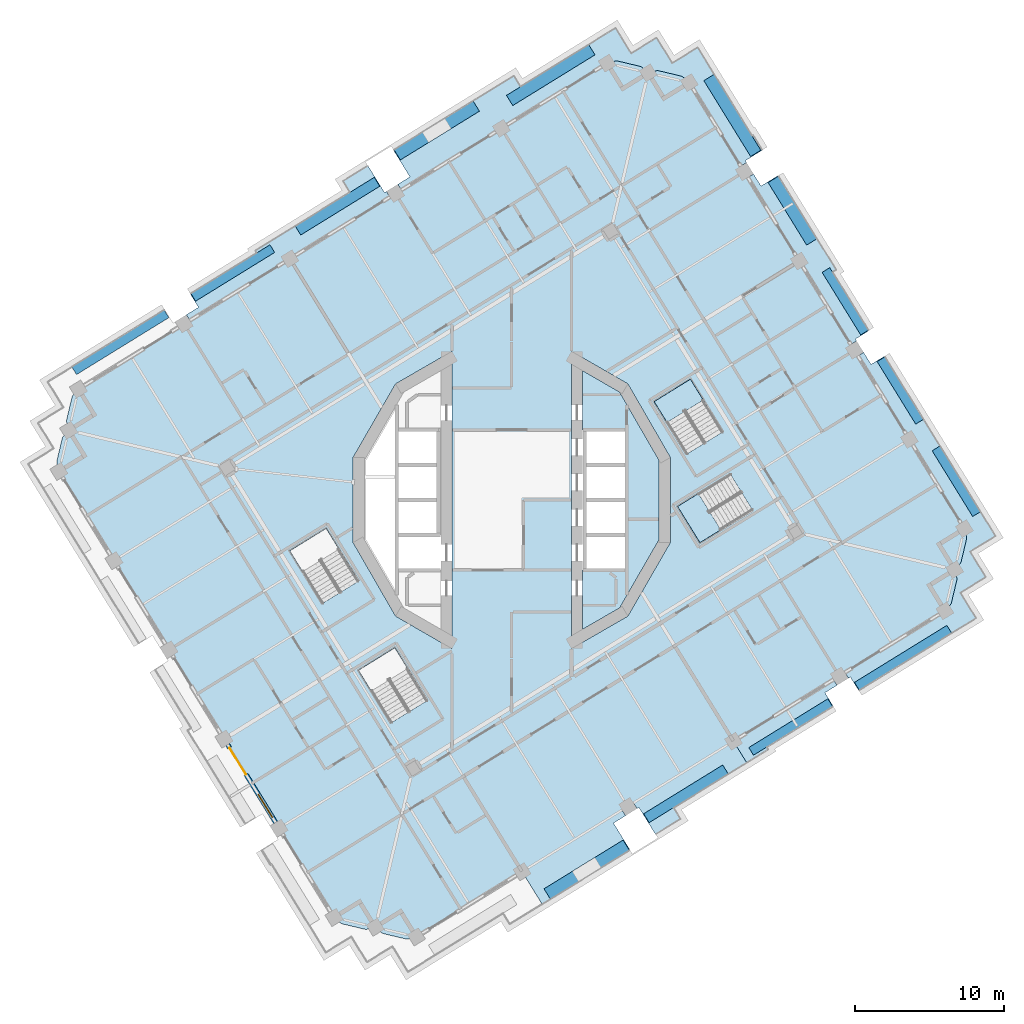
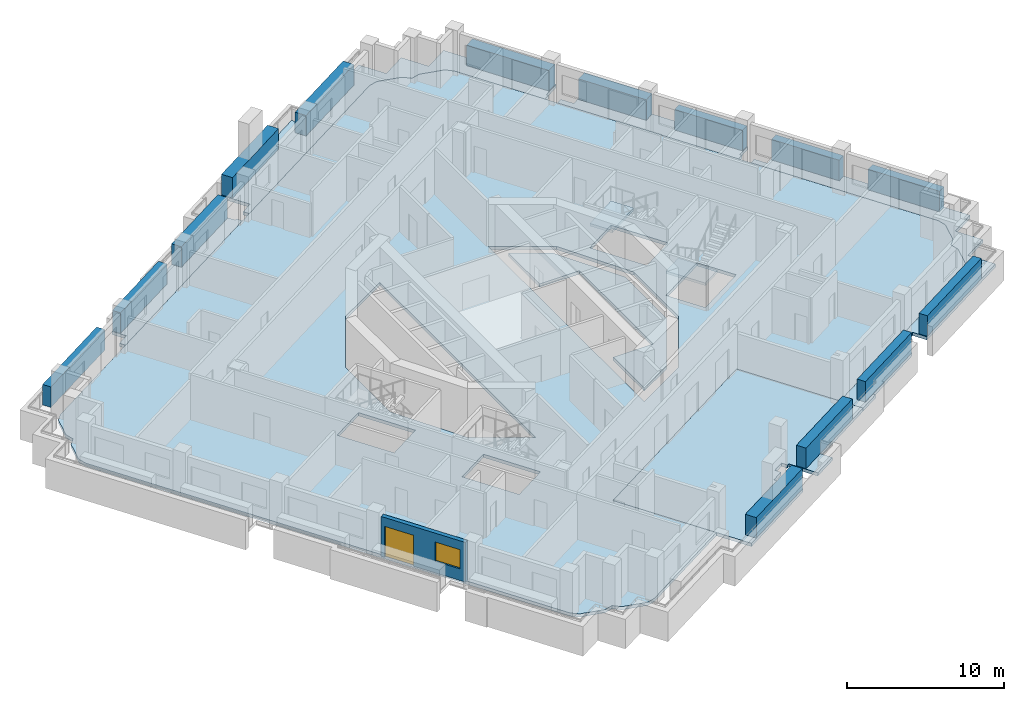
# One storey, part 3 of 21: 14 plates, 10 slabs, 1 door, 1 wall, 1 window, 2 openings, 2 elements without a shape of their own.
"""IFC4 building model written with IfcOpenShell, lengths in metres."""

from ifc_helpers import new_model, si_unit, direction, frame, frame_2d, origin, origin_2d, place, context, subcontext, project, spatial, polyline, rectangle, outline, extrude, material, layer, layer_set, type_object, element, fill, aggregate, save


model = new_model("IFC4")

# Units and contexts
model_context = context("Model", 3, precision=1e-05, world=origin(), true_north=direction((0.0, 1.0)))
body_context = subcontext(model_context, "Body", "Model", "MODEL_VIEW")
ifc_project = project(units=[si_unit("LENGTHUNIT", "METRE"), si_unit("AREAUNIT", "SQUARE_METRE"), si_unit("VOLUMEUNIT", "CUBIC_METRE"), si_unit("PLANEANGLEUNIT", "RADIAN"), si_unit("MASSUNIT", "GRAM", prefix="KILO")], contexts=[model_context])

# Site, building, storey
site_placement = place(None, origin())
site = spatial("IfcSite", under=ifc_project, at=site_placement, CompositionType="ELEMENT")
building_placement = place(site_placement, origin())
building = spatial("IfcBuilding", under=site, at=building_placement, Name="Cantera Rosa Tower", CompositionType="ELEMENT")
storey_placement = place(building_placement, frame((0.0, 0.0, 170.39990234375)))
storey = spatial("IfcBuildingStorey", under=building, at=storey_placement, Name="L37", CompositionType="ELEMENT", Elevation=170.39990234375)

# Slabs
ifc_material_1 = material(Name="Concrete C35/45", Category="concrete")
ifc_layer_1 = layer(ifc_material_1, 0.25)
ifc_layer_set_1 = layer_set([ifc_layer_1], Name="COMPOSITE FLOOR SLAB 250 C35/45")
slab_type_1 = type_object("IfcSlabType", Name="COMPOSITE FLOOR SLAB 250 C35/45", PredefinedType="FLOOR", material=ifc_layer_set_1)
slab_1_placement = place(storey_placement, frame((0.0, 0.0, -0.25)))
element("IfcSlab", 1, at=slab_1_placement, inside=storey, type_object=slab_type_1, Name="SLAB L37 floor 2", PredefinedType="FLOOR", context=body_context, shape_type="SweptSolid", body=[
    extrude(outline(polyline([(-8.673828125, -29.014892578125), (-8.698486328125, -28.998779296875), (-8.721435546875, -28.98046875), (-9.14208984375, -28.60888671875), (-9.684814453125, -28.752197265625), (-9.713623046875, -28.75830078125), (-9.742919921875, -28.761474609375), (-9.772216796875, -28.76171875), (-9.801513671875, -28.75927734375), (-9.83056640625, -28.75390625), (-11.34423828125, -28.395263671875), (-11.37255859375, -28.386962890625), (-11.39990234375, -28.376220703125), (-11.426025390625, -28.362548828125), (-11.45068359375, -28.346435546875), (-11.4736328125, -28.328125), (-11.894287109375, -27.95654296875), (-12.408935546875, -27.122314453125), (-30.321044921875, 1.917724609375), (-30.46435546875, 2.460205078125), (-30.470458984375, 2.489013671875), (-30.4736328125, 2.518310546875), (-30.47412109375, 2.5478515625), (-30.4716796875, 2.5771484375), (-30.46630859375, 2.606201171875), (-30.107421875, 4.119873046875), (-30.09912109375, 4.148193359375), (-30.08837890625, 4.17529296875), (-30.07470703125, 4.20166015625), (-30.05859375, 4.226318359375), (-30.040283203125, 4.249267578125), (-29.668701171875, 4.669921875), (-29.81201171875, 5.21240234375), (-29.818115234375, 5.2412109375), (-29.8212890625, 5.2705078125), (-29.82177734375, 5.300048828125), (-29.8193359375, 5.329345703125), (-29.81396484375, 5.3583984375), (-29.455078125, 6.8720703125), (-29.447021484375, 6.900390625), (-29.43603515625, 6.927490234375), (-29.422607421875, 6.953857421875), (-29.406494140625, 6.978515625), (-29.38818359375, 7.00146484375), (-29.0166015625, 7.422119140625), (6.389892578125, 29.260986328125), (6.9326171875, 29.404296875), (6.96142578125, 29.410400390625), (6.99072265625, 29.413818359375), (7.02001953125, 29.4140625), (7.049560546875, 29.41162109375), (7.078369140625, 29.40625), (8.592041015625, 29.047607421875), (8.620361328125, 29.039306640625), (8.647705078125, 29.0283203125), (8.673828125, 29.014892578125), (8.698486328125, 28.998779296875), (8.721435546875, 28.98046875), (9.14208984375, 28.60888671875), (9.684814453125, 28.752197265625), (9.713623046875, 28.75830078125), (9.742919921875, 28.761474609375), (9.772216796875, 28.76171875), (9.801513671875, 28.75927734375), (9.83056640625, 28.75390625), (11.34423828125, 28.395263671875), (11.37255859375, 28.386962890625), (11.39990234375, 28.376220703125), (11.426025390625, 28.362548828125), (11.45068359375, 28.346435546875), (11.4736328125, 28.328125), (11.894287109375, 27.95654296875), (30.321044921875, -1.917724609375), (30.46435546875, -2.460205078125), (30.470458984375, -2.489013671875), (30.4736328125, -2.518310546875), (30.47412109375, -2.5478515625), (30.4716796875, -2.5771484375), (30.46630859375, -2.606201171875), (30.107421875, -4.119873046875), (30.09912109375, -4.148193359375), (30.08837890625, -4.17529296875), (30.07470703125, -4.20166015625), (30.05859375, -4.226318359375), (30.040283203125, -4.249267578125), (29.668701171875, -4.669921875), (29.81201171875, -5.21240234375), (29.818115234375, -5.2412109375), (29.8212890625, -5.2705078125), (29.82177734375, -5.300048828125), (29.8193359375, -5.329345703125), (29.81396484375, -5.3583984375), (29.455078125, -6.8720703125), (29.447021484375, -6.900390625), (29.43603515625, -6.927490234375), (29.422607421875, -6.953857421875), (29.406494140625, -6.978515625), (29.38818359375, -7.00146484375), (29.0166015625, -7.422119140625), (28.18212890625, -7.9365234375), (14.85400390625, -16.15771484375), (10.91650390625, -9.7744140625), (-3.24609375, -18.510009765625), (0.69140625, -24.893310546875), (-6.389892578125, -29.260986328125), (-6.9326171875, -29.404296875), (-6.96142578125, -29.410400390625), (-6.99072265625, -29.413818359375), (-7.02001953125, -29.4140625), (-7.049560546875, -29.41162109375), (-7.078369140625, -29.40625), (-8.592041015625, -29.047607421875), (-8.620361328125, -29.039306640625), (-8.647705078125, -29.0283203125), (-8.673828125, -29.014892578125)]), holes=[polyline([(-7.830810546875, -9.911376953125), (-10.256591796875, -11.407470703125), (-8.084228515625, -14.929443359375), (-5.658447265625, -13.433349609375), (-7.830810546875, -9.911376953125)]), polyline([(-12.430908203125, -1.911376953125), (-14.8564453125, -3.407470703125), (-12.68408203125, -6.929443359375), (-10.258544921875, -5.433349609375), (-12.430908203125, -1.911376953125)]), polyline([(-10.625244140625, 2.846923828125), (-10.625244140625, -2.846923828125), (-7.7783203125, -7.7783203125), (-4.0, -9.95947265625), (-4.0, 9.95947265625), (-7.7783203125, 7.7783203125), (-10.625244140625, 2.846923828125)]), polyline([(11.111328125, -0.430908203125), (12.607421875, -2.8564453125), (16.12939453125, -0.68408203125), (14.63330078125, 1.741455078125), (11.111328125, -0.430908203125)]), polyline([(10.625244140625, -2.846923828125), (10.625244140625, 2.846923828125), (7.7783203125, 7.7783203125), (4.0, 9.95947265625), (4.0, -9.95947265625), (7.7783203125, -7.7783203125), (10.625244140625, -2.846923828125)]), polyline([(11.96923828125, 8.088623046875), (9.54345703125, 6.592529296875), (11.7158203125, 3.070556640625), (14.1416015625, 4.566650390625), (11.96923828125, 8.088623046875)])]), origin(), (0.0, 0.0, 1.0), 0.25),
])
slab_2_placement = place(storey_placement, frame((0.0, 0.0, -0.25)))
element("IfcSlab", 2, at=slab_2_placement, inside=storey, type_object=slab_type_1, Name="SLAB L37 floor 3", PredefinedType="FLOOR", context=body_context, shape_type="SweptSolid", body=[
    extrude(outline(polyline([(7.699951171875, 2.35009765625), (7.699951171875, 4.699951171875), (4.75, 4.699951171875), (4.75, 8.660400390625), (7.22900390625, 7.22900390625), (9.875244140625, 2.64599609375), (9.875244140625, -2.64599609375), (7.22900390625, -7.22900390625), (4.75, -8.660400390625), (4.75, -4.699951171875), (7.699951171875, -4.699951171875), (7.699951171875, -2.35009765625), (7.699951171875, 0.0), (7.699951171875, 2.35009765625)])), origin(), (0.0, 0.0, 1.0), 0.25),
])
ifc_material_2 = material(Name="Concrete C35/45", Category="concrete")
ifc_layer_2 = layer(ifc_material_2, 0.25)
ifc_layer_set_2 = layer_set([ifc_layer_2], Name="LOGGIA SLAB 250 C35/45")
slab_type_2 = type_object("IfcSlabType", Name="LOGGIA SLAB 250 C35/45", PredefinedType="FLOOR", material=ifc_layer_set_2)
slab_3_placement = place(storey_placement, frame((0.0, 0.0, -0.25)))
element("IfcSlab", 3, at=slab_3_placement, inside=storey, type_object=slab_type_2, Name="LOGGIA SLAB L37 3", PredefinedType="FLOOR", context=body_context, shape_type="SweptSolid", body=[
    extrude(outline(polyline([(-9.622802734375, 22.38232421875), (-8.51953125, 20.593505859375), (-8.391845703125, 20.672119140625), (-8.155517578125, 20.289306640625), (-21.55224609375, 12.026123046875), (-21.788330078125, 12.4091796875), (-20.97998046875, 12.90771484375), (-21.531005859375, 13.801513671875), (-21.446044921875, 13.85400390625), (-17.068115234375, 16.554443359375), (-17.160400390625, 16.704345703125), (-10.824462890625, 20.6123046875), (-11.2841796875, 21.357666015625), (-9.622802734375, 22.38232421875)])), origin(), (0.0, 0.0, 1.0), 0.25),
])
slab_4_placement = place(storey_placement, frame((0.0, 0.0, -0.25)))
element("IfcSlab", 4, at=slab_4_placement, inside=storey, type_object=slab_type_2, Name="LOGGIA SLAB L37 5", PredefinedType="FLOOR", context=body_context, shape_type="SweptSolid", body=[
    extrude(outline(polyline([(7.994384765625, 29.898193359375), (8.249755859375, 30.0556640625), (9.696533203125, 30.9482421875), (10.589111328125, 29.501220703125), (10.74658203125, 29.245849609375), (11.001953125, 29.4033203125), (12.44873046875, 30.2958984375), (13.34130859375, 28.84912109375), (16.09228515625, 24.388916015625), (16.16015625, 24.4306640625), (16.779296875, 23.426513671875), (15.647705078125, 22.728515625), (15.7265625, 22.600830078125), (15.343505859375, 22.36474609375), (11.894287109375, 27.95654296875), (11.4736328125, 28.328125), (11.45068359375, 28.346435546875), (11.426025390625, 28.362548828125), (11.39990234375, 28.376220703125), (11.37255859375, 28.386962890625), (11.34423828125, 28.395263671875), (9.83056640625, 28.75390625), (9.801513671875, 28.75927734375), (9.772216796875, 28.76171875), (9.742919921875, 28.761474609375), (9.713623046875, 28.75830078125), (9.684814453125, 28.752197265625), (9.14208984375, 28.60888671875), (8.721435546875, 28.98046875), (8.698486328125, 28.998779296875), (8.673828125, 29.014892578125), (8.647705078125, 29.0283203125), (8.620361328125, 29.039306640625), (8.592041015625, 29.047607421875), (7.078369140625, 29.40625), (7.049560546875, 29.41162109375), (7.02001953125, 29.4140625), (6.99072265625, 29.413818359375), (6.96142578125, 29.410400390625), (6.9326171875, 29.404296875), (6.389892578125, 29.260986328125), (-7.3896484375, 20.76171875), (-7.625732421875, 21.144775390625), (-6.8173828125, 21.643310546875), (-7.920654296875, 23.432373046875), (0.14111328125, 28.40478515625), (0.588134765625, 27.6796875), (5.49755859375, 30.7080078125), (6.9443359375, 31.600341796875), (7.8369140625, 30.153564453125), (7.994384765625, 29.898193359375)])), origin(), (0.0, 0.0, 1.0), 0.25),
])
slab_5_placement = place(storey_placement, frame((0.0, 0.0, -0.25)))
element("IfcSlab", 5, at=slab_5_placement, inside=storey, type_object=slab_type_2, Name="LOGGIA SLAB L37 6", PredefinedType="FLOOR", context=body_context, shape_type="SweptSolid", body=[
    extrude(outline(polyline([(21.531005859375, -13.801513671875), (21.446044921875, -13.85400390625), (17.068115234375, -16.554443359375), (17.160400390625, -16.704345703125), (15.73388671875, -17.584228515625), (14.85400390625, -16.15771484375), (21.55224609375, -12.026123046875), (21.788330078125, -12.4091796875), (20.97998046875, -12.90771484375), (21.531005859375, -13.801513671875)])), origin(), (0.0, 0.0, 1.0), 0.25),
])
slab_6_placement = place(storey_placement, frame((0.0, 0.0, -0.25)))
element("IfcSlab", 6, at=slab_6_placement, inside=storey, type_object=slab_type_2, Name="LOGGIA SLAB L37 7", PredefinedType="FLOOR", context=body_context, shape_type="SweptSolid", body=[
    extrude(outline(polyline([(23.09716796875, 10.651123046875), (22.714111328125, 10.4150390625), (15.81591796875, 21.5986328125), (16.198974609375, 21.8349609375), (16.69775390625, 21.0263671875), (17.829345703125, 21.724365234375), (21.714111328125, 15.426513671875), (21.47607421875, 15.279541015625), (23.439697265625, 12.09619140625), (23.912109375, 11.330078125), (23.018310546875, 10.77880859375), (23.09716796875, 10.651123046875)])), origin(), (0.0, 0.0, 1.0), 0.25),
])
slab_7_placement = place(storey_placement, frame((0.0, 0.0, -0.25)))
element("IfcSlab", 7, at=slab_7_placement, inside=storey, type_object=slab_type_2, Name="LOGGIA SLAB L37 8", PredefinedType="FLOOR", context=body_context, shape_type="SweptSolid", body=[
    extrude(outline(polyline([(31.1083984375, -3.1943359375), (30.682861328125, -3.456787109375), (30.9453125, -3.88232421875), (31.73291015625, -5.1591796875), (30.456298828125, -5.946533203125), (30.03076171875, -6.208984375), (30.293212890625, -6.634521484375), (31.08056640625, -7.911376953125), (29.803955078125, -8.69873046875), (23.999267578125, -12.279052734375), (23.2333984375, -12.75146484375), (22.68212890625, -11.85791015625), (22.554443359375, -11.9365234375), (22.318115234375, -11.5537109375), (28.18212890625, -7.9365234375), (29.0166015625, -7.422119140625), (29.38818359375, -7.00146484375), (29.406494140625, -6.978515625), (29.422607421875, -6.953857421875), (29.43603515625, -6.927490234375), (29.447021484375, -6.900390625), (29.455078125, -6.8720703125), (29.81396484375, -5.3583984375), (29.8193359375, -5.329345703125), (29.82177734375, -5.300048828125), (29.8212890625, -5.2705078125), (29.818115234375, -5.2412109375), (29.81201171875, -5.21240234375), (29.668701171875, -4.669921875), (30.040283203125, -4.249267578125), (30.05859375, -4.226318359375), (30.07470703125, -4.20166015625), (30.08837890625, -4.17529296875), (30.09912109375, -4.148193359375), (30.107421875, -4.119873046875), (30.46630859375, -2.606201171875), (30.4716796875, -2.5771484375), (30.47412109375, -2.5478515625), (30.4736328125, -2.518310546875), (30.470458984375, -2.489013671875), (30.46435546875, -2.460205078125), (30.321044921875, -1.917724609375), (23.1865234375, 9.64892578125), (23.569580078125, 9.88525390625), (24.068359375, 9.07666015625), (24.9619140625, 9.6279296875), (25.014404296875, 9.542724609375), (27.125, 6.121337890625), (28.69970703125, 3.568115234375), (31.59765625, -1.130126953125), (32.38525390625, -2.406982421875), (31.1083984375, -3.1943359375)])), origin(), (0.0, 0.0, 1.0), 0.25),
])

# Plates
ifc_material_3 = material(Name="Cantera stone planter with soil", Category="masonry")
plate_type_1 = type_object("IfcPlateType", Name="PLANTER 600", PredefinedType="USERDEFINED", material=ifc_material_3)
plate_1_placement = place(storey_placement, frame((29.775390625, 1.2529296875, 0.0), z_axis=(0.0, 0.0, 1.0), x_axis=(-0.52497658034, 0.851116672434, 0.0)))
element("IfcPlate", 8, at=plate_1_placement, inside=storey, type_object=plate_type_1, Name="PLANTER L37-01", ObjectType="PLANTER", PredefinedType="USERDEFINED", context=body_context, shape_type="SweptSolid", body=[
    extrude(rectangle(XDim=5.169921875, YDim=0.60009765625, at=origin_2d()), origin(), (0.0, 0.0, 1.0), 1.60009765625),
])
for number, where, z_axis, x_axis, name in (
    (9, (26.0244140625, 7.333984375, 0.0), (0.0, 0.0, 1.0), (-0.52497658034, 0.851116672434, 0.0), "PLANTER L37-02"),
    (10, (22.339111328125, 13.308837890625, 0.0), (0.0, 0.0, 1.0), (-0.52497658034, 0.851116672434, 0.0), "PLANTER L37-03"),
):
    element("IfcPlate", number, at=place(storey_placement, frame(where, z_axis=z_axis, x_axis=x_axis)), inside=storey, type_object=plate_type_1, Name=name, ObjectType="PLANTER", PredefinedType="USERDEFINED", context=body_context, shape_type="SweptSolid", body=[
        extrude(rectangle(XDim=4.919921875, YDim=0.60009765625, at=origin_2d()), origin(), (0.0, 0.0, 1.0), 1.60009765625),
    ])
plate_2_placement = place(storey_placement, frame((-18.68408203125, 15.205078125, 0.0), z_axis=(0.0, 0.0, 1.0), x_axis=(-0.851116672434, -0.52497658034, 0.0)))
element("IfcPlate", 11, at=plate_2_placement, inside=storey, type_object=plate_type_1, Name="PLANTER L37-09", ObjectType="PLANTER", PredefinedType="USERDEFINED", context=body_context, shape_type="SweptSolid", body=[
    extrude(rectangle(XDim=6.219970703125, YDim=0.60009765625, at=origin_2d()), origin(), (0.0, 0.0, 1.0), 1.60009765625),
])
plate_3_placement = place(storey_placement, frame((-26.212158203125, 10.561767578125, 0.0), z_axis=(0.0, 0.0, 1.0), x_axis=(-0.851116672434, -0.52497658034, 0.0)))
element("IfcPlate", 12, at=plate_3_placement, inside=storey, type_object=plate_type_1, Name="PLANTER L37-10", ObjectType="PLANTER", PredefinedType="USERDEFINED", context=body_context, shape_type="SweptSolid", body=[
    extrude(rectangle(XDim=7.27001953125, YDim=0.60009765625, at=origin_2d()), origin(), (0.0, 0.0, 1.0), 1.60009765625),
])
plate_4_placement = place(storey_placement, frame((18.68408203125, -15.205078125, 0.0), z_axis=(0.0, 0.0, 1.0), x_axis=(0.851116672434, 0.52497658034, 0.0)))
element("IfcPlate", 13, at=plate_4_placement, inside=storey, type_object=plate_type_1, Name="PLANTER L37-19", ObjectType="PLANTER", PredefinedType="USERDEFINED", context=body_context, shape_type="SweptSolid", body=[
    extrude(rectangle(XDim=6.219970703125, YDim=0.60009765625, at=origin_2d()), origin(), (0.0, 0.0, 1.0), 1.60009765625),
])
plate_5_placement = place(storey_placement, frame((26.212158203125, -10.561767578125, 0.0), z_axis=(0.0, 0.0, 1.0), x_axis=(0.851116672434, 0.52497658034, 0.0)))
element("IfcPlate", 14, at=plate_5_placement, inside=storey, type_object=plate_type_1, Name="PLANTER L37-20", ObjectType="PLANTER", PredefinedType="USERDEFINED", context=body_context, shape_type="SweptSolid", body=[
    extrude(rectangle(XDim=7.27001953125, YDim=0.60009765625, at=origin_2d()), origin(), (0.0, 0.0, 1.0), 1.60009765625),
])
ifc_material_4 = material(Name="Cantera stone planter with soil", Category="masonry")
plate_type_2 = type_object("IfcPlateType", Name="PLANTER 700", PredefinedType="USERDEFINED", material=ifc_material_4)
for number, where, z_axis, x_axis, name in (
    (15, (-11.6689453125, 19.68017578125, 0.0), (0.0, 0.0, 1.0), (-0.851116672434, -0.52497658034, 0.0), "PLANTER L37-08"),
    (16, (11.6689453125, -19.68017578125, 0.0), (0.0, 0.0, 1.0), (0.851116672434, 0.52497658034, 0.0), "PLANTER L37-18"),
):
    element("IfcPlate", number, at=place(storey_placement, frame(where, z_axis=z_axis, x_axis=x_axis)), inside=storey, type_object=plate_type_2, Name=name, ObjectType="PLANTER", PredefinedType="USERDEFINED", context=body_context, shape_type="SweptSolid", body=[
        extrude(rectangle(XDim=6.219970703125, YDim=0.699951171875, at=origin_2d()), origin(), (0.0, 0.0, 1.0), 1.60009765625),
    ])
ifc_material_5 = material(Name="Cantera stone planter with soil", Category="masonry")
plate_type_3 = type_object("IfcPlateType", Name="PLANTER 800", PredefinedType="USERDEFINED", material=ifc_material_5)
plate_6_placement = place(storey_placement, frame((18.806640625, 19.378173828125, 0.0), z_axis=(0.0, 0.0, 1.0), x_axis=(-0.52497658034, 0.851116672434, 0.0)))
element("IfcPlate", 17, at=plate_6_placement, inside=storey, type_object=plate_type_3, Name="PLANTER L37-04", ObjectType="PLANTER", PredefinedType="USERDEFINED", context=body_context, shape_type="SweptSolid", body=[
    extrude(rectangle(XDim=4.919921875, YDim=0.800048828125, at=origin_2d()), origin(), (0.0, 0.0, 1.0), 1.60009765625),
])
plate_7_placement = place(storey_placement, frame((14.77783203125, 25.758056640625, 0.0), z_axis=(0.0, 0.0, 1.0), x_axis=(-0.52497658034, 0.851116672434, 0.0)))
element("IfcPlate", 18, at=plate_7_placement, inside=storey, type_object=plate_type_3, Name="PLANTER L37-05", ObjectType="PLANTER", PredefinedType="USERDEFINED", context=body_context, shape_type="SweptSolid", body=[
    extrude(rectangle(XDim=5.969970703125, YDim=0.800048828125, at=origin_2d()), origin(), (0.0, 0.0, 1.0), 1.60009765625),
])
plate_8_placement = place(storey_placement, frame((2.61376953125, 28.459228515625, 0.0), z_axis=(0.0, 0.0, 1.0), x_axis=(-0.851116672434, -0.52497658034, 0.0)))
element("IfcPlate", 19, at=plate_8_placement, inside=storey, type_object=plate_type_3, Name="PLANTER L37-06", ObjectType="PLANTER", PredefinedType="USERDEFINED", context=body_context, shape_type="SweptSolid", body=[
    extrude(rectangle(XDim=6.469970703125, YDim=0.800048828125, at=origin_2d()), origin(), (0.0, 0.0, 1.0), 1.60009765625),
])
for number, where, z_axis, x_axis, name in (
    (20, (-5.021240234375, 24.750732421875, 0.0), (0.0, 0.0, 1.0), (-0.851116672434, -0.52497658034, 0.0), "PLANTER L37-07"),
    (21, (5.021240234375, -24.750732421875, 0.0), (0.0, 0.0, 1.0), (0.851116672434, 0.52497658034, 0.0), "PLANTER L37-17"),
):
    element("IfcPlate", number, at=place(storey_placement, frame(where, z_axis=z_axis, x_axis=x_axis)), inside=storey, type_object=plate_type_3, Name=name, ObjectType="PLANTER", PredefinedType="USERDEFINED", context=body_context, shape_type="SweptSolid", body=[
        extrude(rectangle(XDim=6.219970703125, YDim=0.800048828125, at=origin_2d()), origin(), (0.0, 0.0, 1.0), 1.60009765625),
    ])

# Stair, slab
ifc_material_6 = material(Name="Concrete C35/45", Category="concrete")
stair_type = type_object("IfcStairType", Name="EXIT STAIR 1350 DOGLEG", PredefinedType="HALF_TURN_STAIR", material=ifc_material_6)
stair_1_placement = place(storey_placement, origin())
stair_1 = element("IfcStair", 22, at=stair_1_placement, inside=storey, type_object=stair_type, Name="L37 ST-31", PredefinedType="HALF_TURN_STAIR")
ifc_material_7 = material(Name="Concrete C35/45", Category="concrete")
ifc_layer_3 = layer(ifc_material_7, 0.199951171875)
ifc_layer_set_3 = layer_set([ifc_layer_3], Name="STAIR LANDING 200")
slab_type_3 = type_object("IfcSlabType", Name="STAIR LANDING 200", PredefinedType="LANDING", material=ifc_layer_set_3)
slab_8_placement = place(storey_placement, frame((0.0, 0.0, 1.7001953125)))
slab_8 = element("IfcSlab", 23, at=slab_8_placement, type_object=slab_type_3, Name="ST-31 landing 1", PredefinedType="LANDING", context=body_context, shape_type="SweptSolid", body=[
    extrude(outline(polyline([(12.8310546875, 6.691162109375), (11.96923828125, 8.088623046875), (9.54345703125, 6.592529296875), (10.405517578125, 5.19482421875), (12.8310546875, 6.691162109375)])), origin(), (0.0, 0.0, 1.0), 0.199951171875),
])
aggregate(stair_1, [slab_8])

stair_2_placement = place(storey_placement, origin())
stair_2 = element("IfcStair", 24, at=stair_2_placement, inside=storey, type_object=stair_type, Name="L37 ST-34", PredefinedType="HALF_TURN_STAIR")
slab_9_placement = place(storey_placement, frame((0.0, 0.0, 1.7001953125)))
slab_9 = element("IfcSlab", 25, at=slab_9_placement, type_object=slab_type_3, Name="ST-34 landing 1", PredefinedType="LANDING", context=body_context, shape_type="SweptSolid", body=[
    extrude(outline(polyline([(12.5087890625, 0.43115234375), (11.111328125, -0.430908203125), (12.607421875, -2.8564453125), (14.005126953125, -1.99462890625), (12.5087890625, 0.43115234375)])), origin(), (0.0, 0.0, 1.0), 0.199951171875),
])
aggregate(stair_2, [slab_9])

# Slab
ifc_material_8 = material(Name="Concrete C35/45", Category="concrete")
ifc_layer_4 = layer(ifc_material_8, 0.25)
ifc_layer_set_4 = layer_set([ifc_layer_4], Name="TERRACE SLAB 250 C35/45")
slab_type_4 = type_object("IfcSlabType", Name="TERRACE SLAB 250 C35/45", PredefinedType="FLOOR", material=ifc_layer_set_4)
slab_10_placement = place(storey_placement, frame((0.0, 0.0, -0.25)))
element("IfcSlab", 26, at=slab_10_placement, inside=storey, type_object=slab_type_4, Name="TERRACE SLAB L37 1", PredefinedType="FLOOR", context=body_context, shape_type="SweptSolid", body=[
    extrude(outline(polyline([(2.031005859375, -27.065185546875), (0.69140625, -24.893310546875), (-3.24609375, -18.510009765625), (10.91650390625, -9.7744140625), (14.85400390625, -16.15771484375), (15.73388671875, -17.584228515625), (10.824462890625, -20.6123046875), (11.2841796875, -21.357666015625), (9.622802734375, -22.38232421875), (8.51953125, -20.593505859375), (8.391845703125, -20.672119140625), (8.155517578125, -20.289306640625), (7.3896484375, -20.76171875), (7.625732421875, -21.144775390625), (6.8173828125, -21.643310546875), (7.920654296875, -23.432373046875), (2.031005859375, -27.065185546875)])), origin(), (0.0, 0.0, 1.0), 0.25),
])

# Wall, openings, window, door
ifc_material_9 = material(Name="Hollow clay masonry with cantera stone cladding", Category="masonry")
ifc_layer_5 = layer(ifc_material_9, 0.300048828125)
ifc_layer_set_5 = layer_set([ifc_layer_5], Name="EW-LOGGIA 300 H3090")
wall_type = type_object("IfcWallType", Name="EW-LOGGIA 300 H3090", PredefinedType="SOLIDWALL", material=ifc_layer_set_5)
wall_placement = place(storey_placement, frame((-19.02880859375, -16.389892578125, 0.0), z_axis=(0.0, 0.0, 1.0), x_axis=(0.524987447654, -0.851109969279, 0.0)))
wall = element("IfcWall", 27, at=wall_placement, inside=storey, type_object=wall_type, Name="EN-L37-W18", PredefinedType="SOLIDWALL", context=body_context, shape_type="SweptSolid", body=[
    extrude(rectangle(XDim=6.119873046875, YDim=0.300048828125, at=frame_2d((3.06005859375, 0.0))), origin(), (0.0, 0.0, 1.0), 3.090087890625),
])
opening_1_placement = place(wall_placement, frame((0.2548828125, 0.0, 0.0)))
opening_1 = element("IfcOpeningElement", 28, at=opening_1_placement, cuts=wall, Name="Opening L37-TD27", PredefinedType="OPENING", context=body_context, shape_type="SweptSolid", body=[
    extrude(rectangle(XDim=2.10009765625, YDim=2.39990234375, at=frame_2d((1.050048828125, 1.199951171875))), frame((0.0, 0.159912109375, 0.0), z_axis=(0.0, -1.0, 0.0), x_axis=(1.0, 0.0, 0.0)), (0.0, 0.0, 1.0), 0.320068359375),
])
opening_2_placement = place(wall_placement, frame((3.9150390625, 0.0, 0.89990234375)))
opening_2 = element("IfcOpeningElement", 29, at=opening_2_placement, cuts=wall, Name="Opening L37-W28", PredefinedType="OPENING", context=body_context, shape_type="SweptSolid", body=[
    extrude(rectangle(XDim=1.800048828125, YDim=1.5, at=frame_2d((0.89990234375, 0.75))), frame((0.0, 0.159912109375, 0.0), z_axis=(0.0, -1.0, 0.0), x_axis=(1.0, 0.0, 0.0)), (0.0, 0.0, 1.0), 0.320068359375),
])
ifc_material_10 = material(Name="Aluminium frame with clear glass", Category="aluminium")
window_type = type_object("IfcWindowType", Name="Hotel room window 1800x1500", PartitioningType="DOUBLE_PANEL_VERTICAL", PredefinedType="WINDOW", material=ifc_material_10)
window_placement = place(opening_2_placement, origin())
window = element("IfcWindow", 30, at=window_placement, inside=storey, type_object=window_type, Name="WINDOW L37-W28", OverallHeight=1.5, OverallWidth=1.800048828125, PartitioningType="SINGLE_PANEL", PredefinedType="WINDOW", context=body_context, shape_type="SweptSolid", body=[
    extrude(rectangle(XDim=1.800048828125, YDim=1.5, at=frame_2d((0.89990234375, 0.75))), frame((0.0, 0.030029296875, 0.0), z_axis=(0.0, -1.0, 0.0), x_axis=(1.0, 0.0, 0.0)), (0.0, 0.0, 1.0), 0.06005859375),
])
fill(opening_2, window)
ifc_material_11 = material(Name="Aluminium frame with clear glass", Category="aluminium")
door_type = type_object("IfcDoorType", Name="TD-H 2100x2400", OperationType="NOTDEFINED", PredefinedType="DOOR", material=ifc_material_11)
door_placement = place(opening_1_placement, origin())
door = element("IfcDoor", 31, at=door_placement, inside=storey, type_object=door_type, Name="LOGGIA DOOR L37-TD27", OperationType="SLIDING_TO_LEFT", OverallHeight=2.39990234375, OverallWidth=2.10009765625, PredefinedType="DOOR", context=body_context, shape_type="SweptSolid", body=[
    extrude(rectangle(XDim=2.10009765625, YDim=2.39990234375, at=frame_2d((1.050048828125, 1.199951171875))), frame((0.0, 0.02490234375, 0.0), z_axis=(0.0, -1.0, 0.0), x_axis=(1.0, 0.0, 0.0)), (0.0, 0.0, 1.0), 0.050048828125),
])
fill(opening_1, door)

save(model, "model.ifc")
